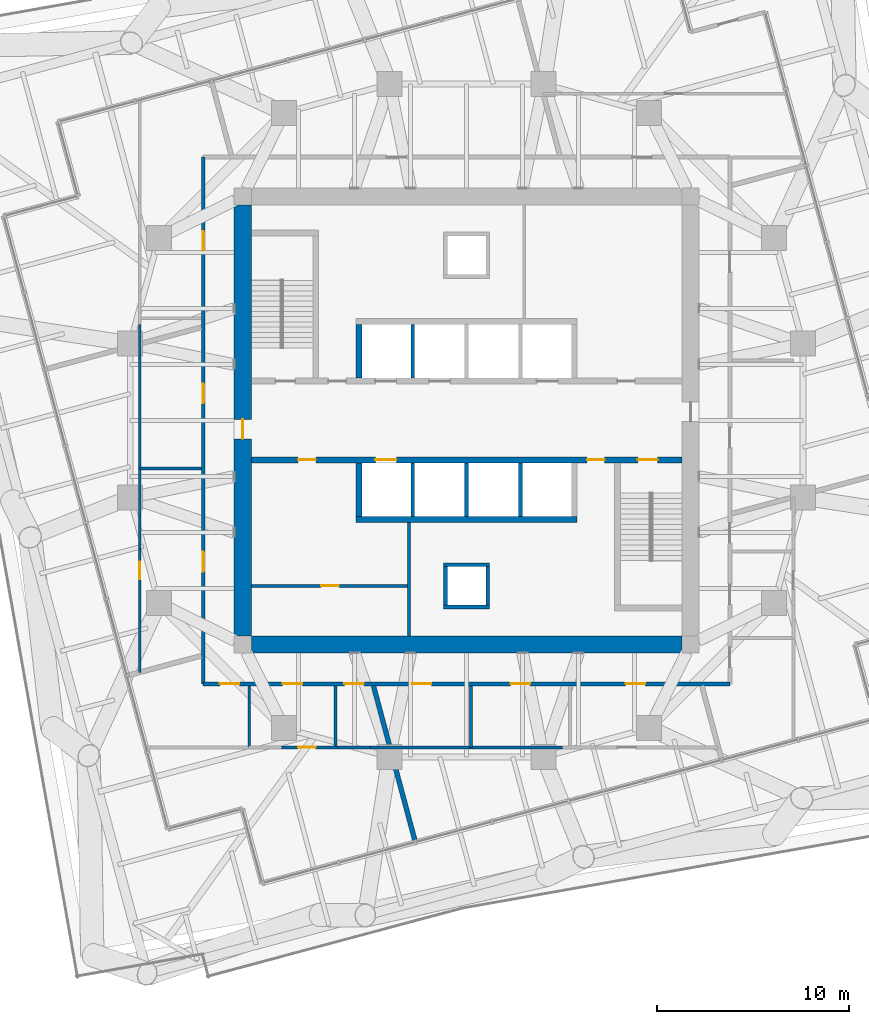
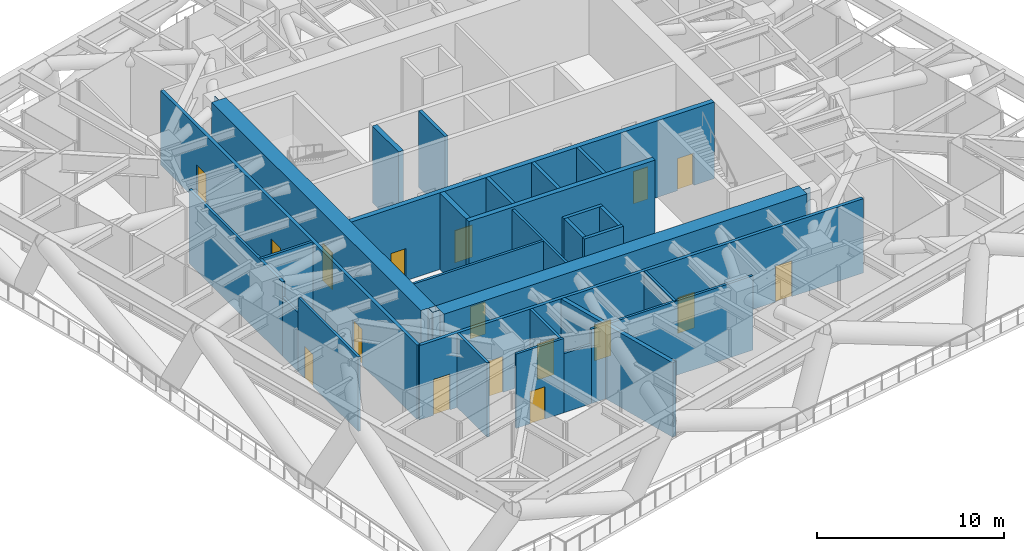
# One storey, part 9 of 14: 29 walls, 17 doors, 17 openings.
"""IFC4 building model written with IfcOpenShell, lengths in metres."""

from ifc_helpers import new_model, si_unit, direction, frame, frame_2d, origin, place, context, subcontext, project, spatial, polyline, rectangle, outline, extrude, material, layer, layer_set, type_object, element, fill, save


model = new_model("IFC4")

# Units and contexts
model_context = context("Model", 3, precision=1e-05, world=origin(), true_north=direction((0.0, 1.0)))
body_context = subcontext(model_context, "Body", "Model", "MODEL_VIEW")
ifc_project = project(units=[si_unit("LENGTHUNIT", "METRE"), si_unit("AREAUNIT", "SQUARE_METRE"), si_unit("VOLUMEUNIT", "CUBIC_METRE"), si_unit("PLANEANGLEUNIT", "RADIAN"), si_unit("MASSUNIT", "GRAM", prefix="KILO")], contexts=[model_context])

# Site, building, storey
site_placement = place(None, origin())
site = spatial("IfcSite", under=ifc_project, at=site_placement, CompositionType="ELEMENT")
building_placement = place(site_placement, origin())
building = spatial("IfcBuilding", under=site, at=building_placement, Name="Torsade Residences", CompositionType="ELEMENT")
storey_placement = place(building_placement, frame((0.0, 0.0, 106.60009765625)))
storey = spatial("IfcBuildingStorey", under=building, at=storey_placement, Name="L29", CompositionType="ELEMENT", Elevation=106.60009765625)

# Wall, openings, doors
ifc_material_1 = material(Name="Concrete 80 MPa", Category="concrete")
ifc_layer_1 = layer(ifc_material_1, 0.300048828125)
ifc_layer_set_1 = layer_set([ifc_layer_1], Name="Concrete 80 MPa")
wall_type_1 = type_object("IfcWallType", Name="CORE INTERNAL WALL 300", PredefinedType="SHEAR", material=ifc_layer_set_1)
wall_1_placement = place(storey_placement, frame((51.199951171875, 27.949951171875, 0.0), z_axis=(0.0, 0.0, 1.0), x_axis=(-1.0, 0.0, 0.0)))
wall_1 = element("IfcWall", 1, at=wall_1_placement, inside=storey, type_object=wall_type_1, Name="Core wall LS L29", PredefinedType="SHEAR", context=body_context, shape_type="SweptSolid", body=[
    extrude(rectangle(XDim=22.39990234375, YDim=0.300048828125, at=frame_2d((11.199951171875, 0.0))), origin(), (0.0, 0.0, 1.0), 5.0),
])
opening_1_placement = place(wall_1_placement, frame((19.0400390625, 0.0, 0.0)))
opening_1 = element("IfcOpeningElement", 2, at=opening_1_placement, cuts=wall_1, Name="Opening D06", PredefinedType="OPENING", context=body_context, shape_type="SweptSolid", body=[
    extrude(rectangle(XDim=0.919921875, YDim=2.10009765625, at=frame_2d((0.4599609375, 1.050048828125))), frame((0.0, 0.159912109375, 0.0), z_axis=(0.0, -1.0, 0.0), x_axis=(1.0, 0.0, 0.0)), (0.0, 0.0, 1.0), 0.320068359375),
])
opening_2_placement = place(wall_1_placement, frame((1.264892578125, 0.0, 0.0)))
opening_2 = element("IfcOpeningElement", 3, at=opening_2_placement, cuts=wall_1, Name="Opening D03", PredefinedType="OPENING", context=body_context, shape_type="SweptSolid", body=[
    extrude(rectangle(XDim=1.02001953125, YDim=2.10009765625, at=frame_2d((0.510009765625, 1.050048828125))), frame((0.0, 0.159912109375, 0.0), z_axis=(0.0, -1.0, 0.0), x_axis=(1.0, 0.0, 0.0)), (0.0, 0.0, 1.0), 0.320068359375),
])
opening_3_placement = place(wall_1_placement, frame((4.014892578125, 0.0, 0.0)))
opening_3 = element("IfcOpeningElement", 4, at=opening_3_placement, cuts=wall_1, Name="Opening D06", PredefinedType="OPENING", context=body_context, shape_type="SweptSolid", body=[
    extrude(rectangle(XDim=0.919921875, YDim=2.10009765625, at=frame_2d((0.4599609375, 1.050048828125))), frame((0.0, 0.159912109375, 0.0), z_axis=(0.0, -1.0, 0.0), x_axis=(1.0, 0.0, 0.0)), (0.0, 0.0, 1.0), 0.320068359375),
])
opening_4_placement = place(wall_1_placement, frame((14.85009765625, 0.0, 0.0)))
opening_4 = element("IfcOpeningElement", 5, at=opening_4_placement, cuts=wall_1, Name="Opening LD", PredefinedType="OPENING", context=body_context, shape_type="SweptSolid", body=[
    extrude(rectangle(XDim=1.10009765625, YDim=2.10009765625, at=frame_2d((0.550048828125, 1.050048828125))), frame((0.0, 0.159912109375, 0.0), z_axis=(0.0, -1.0, 0.0), x_axis=(1.0, 0.0, 0.0)), (0.0, 0.0, 1.0), 0.320068359375),
])
ifc_material_2 = material(Name="Steel-framed fire door", Category="steel")
door_type_1 = type_object("IfcDoorType", Name="FIRE DOOR 1020", OperationType="NOTDEFINED", PredefinedType="DOOR", material=ifc_material_2)
door_1_placement = place(opening_2_placement, origin())
door_1 = element("IfcDoor", 6, at=door_1_placement, inside=storey, type_object=door_type_1, Name="Exit door to fire-isolated stair ST2 L29", OperationType="SINGLE_SWING_RIGHT", OverallHeight=2.10009765625, OverallWidth=1.02001953125, PredefinedType="DOOR", context=body_context, shape_type="SweptSolid", body=[
    extrude(rectangle(XDim=1.02001953125, YDim=2.10009765625, at=frame_2d((0.510009765625, 1.050048828125))), frame((0.0, 0.02490234375, 0.0), z_axis=(0.0, -1.0, 0.0), x_axis=(1.0, 0.0, 0.0)), (0.0, 0.0, 1.0), 0.050048828125),
])
fill(opening_2, door_1)
ifc_material_3 = material(Name="Steel-framed fire door", Category="steel")
door_type_2 = type_object("IfcDoorType", Name="FIRE DOOR 920", OperationType="NOTDEFINED", PredefinedType="DOOR", material=ifc_material_3)
door_2_placement = place(opening_1_placement, origin())
door_2 = element("IfcDoor", 7, at=door_2_placement, inside=storey, type_object=door_type_2, Name="Door Lift lobby to Cleaner store", OperationType="SINGLE_SWING_LEFT", OverallHeight=2.10009765625, OverallWidth=0.919921875, PredefinedType="DOOR", context=body_context, shape_type="SweptSolid", body=[
    extrude(rectangle(XDim=0.919921875, YDim=2.10009765625, at=frame_2d((0.4599609375, 1.050048828125))), frame((0.0, 0.02490234375, 0.0), z_axis=(0.0, -1.0, 0.0), x_axis=(1.0, 0.0, 0.0)), (0.0, 0.0, 1.0), 0.050048828125),
])
fill(opening_1, door_2)
door_3_placement = place(opening_3_placement, origin())
door_3 = element("IfcDoor", 8, at=door_3_placement, inside=storey, type_object=door_type_2, Name="Door Lift lobby to Communications riser room", OperationType="SINGLE_SWING_RIGHT", OverallHeight=2.10009765625, OverallWidth=0.919921875, PredefinedType="DOOR", context=body_context, shape_type="SweptSolid", body=[
    extrude(rectangle(XDim=0.919921875, YDim=2.10009765625, at=frame_2d((0.4599609375, 1.050048828125))), frame((0.0, 0.02490234375, 0.0), z_axis=(0.0, -1.0, 0.0), x_axis=(1.0, 0.0, 0.0)), (0.0, 0.0, 1.0), 0.050048828125),
])
fill(opening_3, door_3)
ifc_material_4 = material(Name="Stainless steel lift landing door", Category="steel")
door_type_3 = type_object("IfcDoorType", Name="LIFT LANDING DOOR 1100", OperationType="SLIDING_TO_LEFT", PredefinedType="DOOR", material=ifc_material_4)
door_4_placement = place(opening_4_placement, origin())
door_4 = element("IfcDoor", 9, at=door_4_placement, inside=storey, type_object=door_type_3, Name="Lift FL2 landing door L29", OperationType="SLIDING_TO_LEFT", OverallHeight=2.10009765625, OverallWidth=1.10009765625, PredefinedType="DOOR", context=body_context, shape_type="SweptSolid", body=[
    extrude(rectangle(XDim=1.10009765625, YDim=2.10009765625, at=frame_2d((0.550048828125, 1.050048828125))), frame((0.0, 0.02490234375, 0.0), z_axis=(0.0, -1.0, 0.0), x_axis=(1.0, 0.0, 0.0)), (0.0, 0.0, 1.0), 0.050048828125),
])
fill(opening_4, door_4)

# Walls
wall_2_placement = place(storey_placement, frame((45.75, 24.85009765625, 0.0), z_axis=(0.0, 0.0, 1.0), x_axis=(-1.0, 0.0, 0.0)))
element("IfcWall", 10, at=wall_2_placement, inside=storey, type_object=wall_type_1, Name="Core wall BS L29", PredefinedType="SHEAR", context=body_context, shape_type="SweptSolid", body=[
    extrude(rectangle(XDim=11.5, YDim=0.300048828125, at=frame_2d((5.75, 0.0))), origin(), (0.0, 0.0, 1.0), 5.0),
])
for number, where, z_axis, x_axis, name in (
    (11, (34.39990234375, 32.199951171875, 0.0), (0.0, 0.0, 1.0), (0.0, 1.0, 0.0), "Core wall DN0 L29"),
    (12, (34.39990234375, 27.800048828125, 0.0), (0.0, 0.0, 1.0), (0.0, -1.0, 0.0), "Core wall DS4 L29"),
):
    element("IfcWall", number, at=place(storey_placement, frame(where, z_axis=z_axis, x_axis=x_axis)), inside=storey, type_object=wall_type_1, Name=name, PredefinedType="SHEAR", context=body_context, shape_type="SweptSolid", body=[
        extrude(rectangle(XDim=2.800048828125, YDim=0.300048828125, at=frame_2d((1.39990234375, 0.0))), origin(), (0.0, 0.0, 1.0), 5.0),
    ])
ifc_material_5 = material(Name="Concrete 80 MPa", Category="concrete")
ifc_layer_2 = layer(ifc_material_5, 0.89990234375)
ifc_layer_set_2 = layer_set([ifc_layer_2], Name="Concrete 80 MPa")
wall_type_2 = type_object("IfcWallType", Name="CORE WALL 900", PredefinedType="SHEAR", material=ifc_layer_set_2)
wall_3_placement = place(storey_placement, frame((51.199951171875, 18.35009765625, 0.0), z_axis=(0.0, 0.0, 1.0), x_axis=(-1.0, 0.0, 0.0)))
element("IfcWall", 13, at=wall_3_placement, inside=storey, type_object=wall_type_2, Name="Core wall S L29", PredefinedType="SHEAR", context=body_context, shape_type="SweptSolid", body=[
    extrude(outline(polyline([(0.0, -0.449951171875), (22.39990234375, -0.449951171875), (22.39990234375, -0.02490234375), (22.849853515625, -0.02490234375), (22.849853515625, 0.02490234375), (22.39990234375, 0.02490234375), (22.39990234375, 0.449951171875), (0.0, 0.449951171875), (0.0, 0.02490234375), (-0.449951171875, 0.02490234375), (-0.449951171875, -0.02490234375), (0.0, -0.02490234375), (0.0, -0.449951171875)])), origin(), (0.0, 0.0, 1.0), 5.0),
])

# Wall, opening, door
wall_4_placement = place(storey_placement, frame((28.35009765625, 41.199951171875, 0.0), z_axis=(0.0, 0.0, 1.0), x_axis=(0.0, -1.0, 0.0)))
wall_4 = element("IfcWall", 14, at=wall_4_placement, inside=storey, type_object=wall_type_2, Name="Core wall W L29", PredefinedType="SHEAR", context=body_context, shape_type="SweptSolid", body=[
    extrude(outline(polyline([(0.0, -0.449951171875), (22.39990234375, -0.449951171875), (22.39990234375, -0.02490234375), (22.849853515625, -0.02490234375), (22.849853515625, 0.02490234375), (22.39990234375, 0.02490234375), (22.39990234375, 0.449951171875), (0.0, 0.449951171875), (0.0, 0.02490234375), (-0.449951171875, 0.02490234375), (-0.449951171875, -0.02490234375), (0.0, -0.02490234375), (0.0, -0.449951171875)])), origin(), (0.0, 0.0, 1.0), 5.0),
])
opening_5_placement = place(wall_4_placement, frame((11.139892578125, 0.0, 0.0)))
opening_5 = element("IfcOpeningElement", 15, at=opening_5_placement, cuts=wall_4, Name="Opening D04", PredefinedType="OPENING", context=body_context, shape_type="SweptSolid", body=[
    extrude(rectangle(XDim=1.02001953125, YDim=2.39990234375, at=frame_2d((0.510009765625, 1.199951171875))), frame((0.0, 0.4599609375, 0.0), z_axis=(0.0, -1.0, 0.0), x_axis=(1.0, 0.0, 0.0)), (0.0, 0.0, 1.0), 0.919921875),
])
ifc_material_6 = material(Name="Steel-framed fire door", Category="steel")
door_type_4 = type_object("IfcDoorType", Name="LOBBY SMOKE DOOR 1020x2400", OperationType="NOTDEFINED", PredefinedType="DOOR", material=ifc_material_6)
door_5_placement = place(opening_5_placement, origin())
door_5 = element("IfcDoor", 16, at=door_5_placement, inside=storey, type_object=door_type_4, Name="Lift lobby door W L29", OperationType="SINGLE_SWING_RIGHT", OverallHeight=2.39990234375, OverallWidth=1.02001953125, PredefinedType="DOOR", context=body_context, shape_type="SweptSolid", body=[
    extrude(rectangle(XDim=1.02001953125, YDim=2.39990234375, at=frame_2d((0.510009765625, 1.199951171875))), frame((0.0, 0.02490234375, 0.0), z_axis=(0.0, -1.0, 0.0), x_axis=(1.0, 0.0, 0.0)), (0.0, 0.0, 1.0), 0.050048828125),
])
fill(opening_5, door_5)

# Wall, openings, doors
ifc_material_7 = material(Name="Plasterboard on steel stud", Category="steel")
ifc_layer_3 = layer(ifc_material_7, 0.199951171875)
ifc_layer_set_3 = layer_set([ifc_layer_3], Name="Plasterboard on steel stud")
wall_type_3 = type_object("IfcWallType", Name="CORRIDOR WALL 200", PredefinedType="PARTITIONING", material=ifc_layer_set_3)
wall_5_placement = place(storey_placement, frame((26.300048828125, 16.300048828125, 0.0), z_axis=(0.0, 0.0, 1.0), x_axis=(1.0, 0.0, 0.0)))
wall_5 = element("IfcWall", 17, at=wall_5_placement, inside=storey, type_object=wall_type_3, Name="Corridor wall L29", PredefinedType="PARTITIONING", context=body_context, shape_type="SweptSolid", body=[
    extrude(rectangle(XDim=27.39990234375, YDim=0.199951171875, at=frame_2d((13.699951171875, 0.0))), origin(), (0.0, 0.0, 1.0), 4.849853515625),
])
opening_6_placement = place(wall_5_placement, frame((21.972412109375, 0.0, 0.0)))
opening_6 = element("IfcOpeningElement", 18, at=opening_6_placement, cuts=wall_5, Name="Opening D01", PredefinedType="OPENING", context=body_context, shape_type="SweptSolid", body=[
    extrude(rectangle(XDim=1.02001953125, YDim=2.340087890625, at=frame_2d((0.510009765625, 1.169921875))), frame((0.0, 0.10986328125, 0.0), z_axis=(0.0, -1.0, 0.0), x_axis=(1.0, 0.0, 0.0)), (0.0, 0.0, 1.0), 0.219970703125),
])
opening_7_placement = place(wall_5_placement, frame((15.991455078125, 0.0, 0.0)))
opening_7 = element("IfcOpeningElement", 19, at=opening_7_placement, cuts=wall_5, Name="Opening D01", PredefinedType="OPENING", context=body_context, shape_type="SweptSolid", body=[
    extrude(rectangle(XDim=1.02001953125, YDim=2.340087890625, at=frame_2d((0.510009765625, 1.169921875))), frame((0.0, 0.10986328125, 0.0), z_axis=(0.0, -1.0, 0.0), x_axis=(1.0, 0.0, 0.0)), (0.0, 0.0, 1.0), 0.219970703125),
])
opening_8_placement = place(wall_5_placement, frame((10.85302734375, 0.0, 0.0)))
opening_8 = element("IfcOpeningElement", 20, at=opening_8_placement, cuts=wall_5, Name="Opening D01", PredefinedType="OPENING", context=body_context, shape_type="SweptSolid", body=[
    extrude(rectangle(XDim=1.02001953125, YDim=2.340087890625, at=frame_2d((0.510009765625, 1.169921875))), frame((0.0, 0.10986328125, 0.0), z_axis=(0.0, -1.0, 0.0), x_axis=(1.0, 0.0, 0.0)), (0.0, 0.0, 1.0), 0.219970703125),
])
opening_9_placement = place(wall_5_placement, frame((4.133056640625, 0.0, 0.0)))
opening_9 = element("IfcOpeningElement", 21, at=opening_9_placement, cuts=wall_5, Name="Opening D01", PredefinedType="OPENING", context=body_context, shape_type="SweptSolid", body=[
    extrude(rectangle(XDim=1.02001953125, YDim=2.340087890625, at=frame_2d((0.510009765625, 1.169921875))), frame((0.0, 0.10986328125, 0.0), z_axis=(0.0, -1.0, 0.0), x_axis=(1.0, 0.0, 0.0)), (0.0, 0.0, 1.0), 0.219970703125),
])
opening_10_placement = place(wall_5_placement, frame((0.8623046875, 0.0, 0.0)))
opening_10 = element("IfcOpeningElement", 22, at=opening_10_placement, cuts=wall_5, Name="Opening D01", PredefinedType="OPENING", context=body_context, shape_type="SweptSolid", body=[
    extrude(rectangle(XDim=1.02001953125, YDim=2.340087890625, at=frame_2d((0.510009765625, 1.169921875))), frame((0.0, 0.10986328125, 0.0), z_axis=(0.0, -1.0, 0.0), x_axis=(1.0, 0.0, 0.0)), (0.0, 0.0, 1.0), 0.219970703125),
])
opening_11_placement = place(wall_5_placement, frame((7.341552734375, 0.0, 0.0)))
opening_11 = element("IfcOpeningElement", 23, at=opening_11_placement, cuts=wall_5, Name="Opening D01", PredefinedType="OPENING", context=body_context, shape_type="SweptSolid", body=[
    extrude(rectangle(XDim=1.02001953125, YDim=2.340087890625, at=frame_2d((0.510009765625, 1.169921875))), frame((0.0, 0.10986328125, 0.0), z_axis=(0.0, -1.0, 0.0), x_axis=(1.0, 0.0, 0.0)), (0.0, 0.0, 1.0), 0.219970703125),
])
ifc_material_8 = material(Name="Solid-core timber fire door", Category="wood")
door_type_5 = type_object("IfcDoorType", Name="APARTMENT ENTRY DOOR 1020x2340", OperationType="NOTDEFINED", PredefinedType="DOOR", material=ifc_material_8)
door_6_placement = place(opening_6_placement, origin())
door_6 = element("IfcDoor", 24, at=door_6_placement, inside=storey, type_object=door_type_5, Name="Door Plant corridor to Service lobby", OperationType="SINGLE_SWING_RIGHT", OverallHeight=2.340087890625, OverallWidth=1.02001953125, PredefinedType="DOOR", context=body_context, shape_type="SweptSolid", body=[
    extrude(rectangle(XDim=1.02001953125, YDim=2.340087890625, at=frame_2d((0.510009765625, 1.169921875))), frame((0.0, 0.02490234375, 0.0), z_axis=(0.0, -1.0, 0.0), x_axis=(1.0, 0.0, 0.0)), (0.0, 0.0, 1.0), 0.050048828125),
])
fill(opening_6, door_6)
door_7_placement = place(opening_7_placement, origin())
door_7 = element("IfcDoor", 25, at=door_7_placement, inside=storey, type_object=door_type_5, Name="Door Plant corridor to Pump room", OperationType="SINGLE_SWING_LEFT", OverallHeight=2.340087890625, OverallWidth=1.02001953125, PredefinedType="DOOR", context=body_context, shape_type="SweptSolid", body=[
    extrude(rectangle(XDim=1.02001953125, YDim=2.340087890625, at=frame_2d((0.510009765625, 1.169921875))), frame((0.0, 0.02490234375, 0.0), z_axis=(0.0, -1.0, 0.0), x_axis=(1.0, 0.0, 0.0)), (0.0, 0.0, 1.0), 0.050048828125),
])
fill(opening_7, door_7)
door_8_placement = place(opening_8_placement, origin())
door_8 = element("IfcDoor", 26, at=door_8_placement, inside=storey, type_object=door_type_5, Name="Door Plant corridor to Plant cupboard", OperationType="SINGLE_SWING_RIGHT", OverallHeight=2.340087890625, OverallWidth=1.02001953125, PredefinedType="DOOR", context=body_context, shape_type="SweptSolid", body=[
    extrude(rectangle(XDim=1.02001953125, YDim=2.340087890625, at=frame_2d((0.510009765625, 1.169921875))), frame((0.0, 0.02490234375, 0.0), z_axis=(0.0, -1.0, 0.0), x_axis=(1.0, 0.0, 0.0)), (0.0, 0.0, 1.0), 0.050048828125),
])
fill(opening_8, door_8)
door_9_placement = place(opening_9_placement, origin())
door_9 = element("IfcDoor", 27, at=door_9_placement, inside=storey, type_object=door_type_5, Name="Door Plant corridor to Service lobby", OperationType="SINGLE_SWING_RIGHT", OverallHeight=2.340087890625, OverallWidth=1.02001953125, PredefinedType="DOOR", context=body_context, shape_type="SweptSolid", body=[
    extrude(rectangle(XDim=1.02001953125, YDim=2.340087890625, at=frame_2d((0.510009765625, 1.169921875))), frame((0.0, 0.02490234375, 0.0), z_axis=(0.0, -1.0, 0.0), x_axis=(1.0, 0.0, 0.0)), (0.0, 0.0, 1.0), 0.050048828125),
])
fill(opening_9, door_9)
door_10_placement = place(opening_10_placement, origin())
door_10 = element("IfcDoor", 28, at=door_10_placement, inside=storey, type_object=door_type_5, Name="Door Plant corridor to Pump room", OperationType="SINGLE_SWING_LEFT", OverallHeight=2.340087890625, OverallWidth=1.02001953125, PredefinedType="DOOR", context=body_context, shape_type="SweptSolid", body=[
    extrude(rectangle(XDim=1.02001953125, YDim=2.340087890625, at=frame_2d((0.510009765625, 1.169921875))), frame((0.0, 0.02490234375, 0.0), z_axis=(0.0, -1.0, 0.0), x_axis=(1.0, 0.0, 0.0)), (0.0, 0.0, 1.0), 0.050048828125),
])
fill(opening_10, door_10)
door_11_placement = place(opening_11_placement, origin())
door_11 = element("IfcDoor", 29, at=door_11_placement, inside=storey, type_object=door_type_5, Name="Door Plant corridor to Plant cupboard", OperationType="SINGLE_SWING_RIGHT", OverallHeight=2.340087890625, OverallWidth=1.02001953125, PredefinedType="DOOR", context=body_context, shape_type="SweptSolid", body=[
    extrude(rectangle(XDim=1.02001953125, YDim=2.340087890625, at=frame_2d((0.510009765625, 1.169921875))), frame((0.0, 0.02490234375, 0.0), z_axis=(0.0, -1.0, 0.0), x_axis=(1.0, 0.0, 0.0)), (0.0, 0.0, 1.0), 0.050048828125),
])
fill(opening_11, door_11)

wall_6_placement = place(storey_placement, frame((26.300048828125, 43.699951171875, 0.0), z_axis=(0.0, 0.0, 1.0), x_axis=(0.0, -1.0, 0.0)))
wall_6 = element("IfcWall", 30, at=wall_6_placement, inside=storey, type_object=wall_type_3, Name="Corridor wall L29", PredefinedType="PARTITIONING", context=body_context, shape_type="SweptSolid", body=[
    extrude(rectangle(XDim=27.39990234375, YDim=0.199951171875, at=frame_2d((13.699951171875, 0.0))), origin(), (0.0, 0.0, 1.0), 4.849853515625),
])
opening_12_placement = place(wall_6_placement, frame((20.53466796875, 0.0, 0.0)))
opening_12 = element("IfcOpeningElement", 31, at=opening_12_placement, cuts=wall_6, Name="Opening D01", PredefinedType="OPENING", context=body_context, shape_type="SweptSolid", body=[
    extrude(rectangle(XDim=1.02001953125, YDim=2.340087890625, at=frame_2d((0.510009765625, 1.169921875))), frame((0.0, 0.10986328125, 0.0), z_axis=(0.0, -1.0, 0.0), x_axis=(1.0, 0.0, 0.0)), (0.0, 0.0, 1.0), 0.219970703125),
])
opening_13_placement = place(wall_6_placement, frame((3.8564453125, 0.0, 0.0)))
opening_13 = element("IfcOpeningElement", 32, at=opening_13_placement, cuts=wall_6, Name="Opening D01", PredefinedType="OPENING", context=body_context, shape_type="SweptSolid", body=[
    extrude(rectangle(XDim=1.02001953125, YDim=2.340087890625, at=frame_2d((0.510009765625, 1.169921875))), frame((0.0, 0.10986328125, 0.0), z_axis=(0.0, -1.0, 0.0), x_axis=(1.0, 0.0, 0.0)), (0.0, 0.0, 1.0), 0.219970703125),
])
opening_14_placement = place(wall_6_placement, frame((11.779052734375, 0.0, 0.0)))
opening_14 = element("IfcOpeningElement", 33, at=opening_14_placement, cuts=wall_6, Name="Opening D01", PredefinedType="OPENING", context=body_context, shape_type="SweptSolid", body=[
    extrude(rectangle(XDim=1.02001953125, YDim=2.340087890625, at=frame_2d((0.510009765625, 1.169921875))), frame((0.0, 0.10986328125, 0.0), z_axis=(0.0, -1.0, 0.0), x_axis=(1.0, 0.0, 0.0)), (0.0, 0.0, 1.0), 0.219970703125),
])
door_12_placement = place(opening_12_placement, origin())
door_12 = element("IfcDoor", 34, at=door_12_placement, inside=storey, type_object=door_type_5, Name="Door Plant corridor to Pump room", OperationType="SINGLE_SWING_LEFT", OverallHeight=2.340087890625, OverallWidth=1.02001953125, PredefinedType="DOOR", context=body_context, shape_type="SweptSolid", body=[
    extrude(rectangle(XDim=1.02001953125, YDim=2.340087890625, at=frame_2d((0.510009765625, 1.169921875))), frame((0.0, 0.02490234375, 0.0), z_axis=(0.0, -1.0, 0.0), x_axis=(1.0, 0.0, 0.0)), (0.0, 0.0, 1.0), 0.050048828125),
])
fill(opening_12, door_12)
door_13_placement = place(opening_13_placement, origin())
door_13 = element("IfcDoor", 35, at=door_13_placement, inside=storey, type_object=door_type_5, Name="Door Plant corridor to Service lobby", OperationType="SINGLE_SWING_LEFT", OverallHeight=2.340087890625, OverallWidth=1.02001953125, PredefinedType="DOOR", context=body_context, shape_type="SweptSolid", body=[
    extrude(rectangle(XDim=1.02001953125, YDim=2.340087890625, at=frame_2d((0.510009765625, 1.169921875))), frame((0.0, 0.02490234375, 0.0), z_axis=(0.0, -1.0, 0.0), x_axis=(1.0, 0.0, 0.0)), (0.0, 0.0, 1.0), 0.050048828125),
])
fill(opening_13, door_13)
door_14_placement = place(opening_14_placement, origin())
door_14 = element("IfcDoor", 36, at=door_14_placement, inside=storey, type_object=door_type_5, Name="Door Plant corridor to Plant cupboard", OperationType="SINGLE_SWING_LEFT", OverallHeight=2.340087890625, OverallWidth=1.02001953125, PredefinedType="DOOR", context=body_context, shape_type="SweptSolid", body=[
    extrude(rectangle(XDim=1.02001953125, YDim=2.340087890625, at=frame_2d((0.510009765625, 1.169921875))), frame((0.0, 0.02490234375, 0.0), z_axis=(0.0, -1.0, 0.0), x_axis=(1.0, 0.0, 0.0)), (0.0, 0.0, 1.0), 0.050048828125),
])
fill(opening_14, door_14)

# Walls
ifc_material_9 = material(Name="Reinforced blockwork", Category="masonry")
ifc_layer_4 = layer(ifc_material_9, 0.199951171875)
ifc_layer_set_4 = layer_set([ifc_layer_4], Name="Reinforced blockwork")
wall_type_4 = type_object("IfcWallType", Name="LIFT SHAFT DIVIDING WALL 200", PredefinedType="SOLIDWALL", material=ifc_layer_set_4)
for number, where, z_axis, x_axis, name in (
    (37, (37.199951171875, 32.199951171875, 0.0), (0.0, 0.0, 1.0), (0.0, 1.0, 0.0), "Core wall DN1 L29"),
    (38, (42.800048828125, 27.800048828125, 0.0), (0.0, 0.0, 1.0), (0.0, -1.0, 0.0), "Core wall DS1 L29"),
    (39, (40.0, 27.800048828125, 0.0), (0.0, 0.0, 1.0), (0.0, -1.0, 0.0), "Core wall DS2 L29"),
    (40, (37.199951171875, 27.800048828125, 0.0), (0.0, 0.0, 1.0), (0.0, -1.0, 0.0), "Core wall DS3 L29"),
):
    element("IfcWall", number, at=place(storey_placement, frame(where, z_axis=z_axis, x_axis=x_axis)), inside=storey, type_object=wall_type_4, Name=name, PredefinedType="SOLIDWALL", context=body_context, shape_type="SweptSolid", body=[
        extrude(rectangle(XDim=2.800048828125, YDim=0.199951171875, at=frame_2d((1.39990234375, 0.0))), origin(), (0.0, 0.0, 1.0), 5.0),
    ])
ifc_material_10 = material(Name="Masonry-lined stud party wall", Category="masonry")
ifc_layer_5 = layer(ifc_material_10, 0.25)
ifc_layer_set_5 = layer_set([ifc_layer_5], Name="Masonry-lined stud party wall")
wall_type_5 = type_object("IfcWallType", Name="PARTY WALL 250", PredefinedType="PARTITIONING", material=ifc_layer_set_5)
wall_7_placement = place(storey_placement, frame((37.3369140625, 8.063232421875, 0.0), z_axis=(0.0, 0.0, 1.0), x_axis=(-0.25881425273, 0.965927110389, 0.0)))
element("IfcWall", 41, at=wall_7_placement, inside=storey, type_object=wall_type_5, Name="Party wall L29", PredefinedType="PARTITIONING", context=body_context, shape_type="SweptSolid", body=[
    extrude(rectangle(XDim=8.430419921875, YDim=0.25, at=frame_2d((4.21533203125, 0.0))), origin(), (0.0, 0.0, 1.0), 4.849853515625),
])
ifc_material_11 = material(Name="Reinforced blockwork", Category="masonry")
ifc_layer_6 = layer(ifc_material_11, 0.199951171875)
ifc_layer_set_6 = layer_set([ifc_layer_6], Name="Reinforced blockwork")
wall_type_6 = type_object("IfcWallType", Name="RISER SHAFT WALL 200", PredefinedType="SOLIDWALL", material=ifc_layer_set_6)
for number, where, z_axis, x_axis, name in (
    (42, (38.89990234375, 22.39990234375, 0.0), (0.0, 0.0, 1.0), (0.0, -1.0, 0.0), "Core wall RS2a L29"),
    (43, (41.10009765625, 22.39990234375, 0.0), (0.0, 0.0, 1.0), (0.0, -1.0, 0.0), "Core wall RS2b L29"),
):
    element("IfcWall", number, at=place(storey_placement, frame(where, z_axis=z_axis, x_axis=x_axis)), inside=storey, type_object=wall_type_6, Name=name, PredefinedType="SOLIDWALL", context=body_context, shape_type="SweptSolid", body=[
        extrude(rectangle(XDim=2.0, YDim=0.199951171875, at=frame_2d((1.0, 0.0))), origin(), (0.0, 0.0, 1.0), 5.0),
    ])
for number, where, z_axis, x_axis, name in (
    (44, (38.800048828125, 22.5, 0.0), (0.0, 0.0, 1.0), (1.0, 0.0, 0.0), "Core wall RS2c L29"),
    (45, (38.800048828125, 20.300048828125, 0.0), (0.0, 0.0, 1.0), (1.0, 0.0, 0.0), "Core wall RS2d L29"),
):
    element("IfcWall", number, at=place(storey_placement, frame(where, z_axis=z_axis, x_axis=x_axis)), inside=storey, type_object=wall_type_6, Name=name, PredefinedType="SOLIDWALL", context=body_context, shape_type="SweptSolid", body=[
        extrude(rectangle(XDim=2.39990234375, YDim=0.199951171875, at=frame_2d((1.199951171875, 0.0))), origin(), (0.0, 0.0, 1.0), 5.0),
    ])
ifc_material_12 = material(Name="Reinforced blockwork", Category="masonry")
ifc_layer_7 = layer(ifc_material_12, 0.14990234375)
ifc_layer_set_7 = layer_set([ifc_layer_7], Name="Reinforced blockwork")
wall_type_7 = type_object("IfcWallType", Name="SERVICE ROOM WALL 150", PredefinedType="SOLIDWALL", material=ifc_layer_set_7)
wall_8_placement = place(storey_placement, frame((37.0, 18.800048828125, 0.0), z_axis=(0.0, 0.0, 1.0), x_axis=(0.0, 1.0, 0.0)))
element("IfcWall", 46, at=wall_8_placement, inside=storey, type_object=wall_type_7, Name="Service room wall L29", PredefinedType="SOLIDWALL", context=body_context, shape_type="SweptSolid", body=[
    extrude(rectangle(XDim=5.89990234375, YDim=0.14990234375, at=frame_2d((2.949951171875, 0.0))), origin(), (0.0, 0.0, 1.0), 4.849853515625),
])

# Wall, opening, door
wall_9_placement = place(storey_placement, frame((37.0, 21.39990234375, 0.0), z_axis=(0.0, 0.0, 1.0), x_axis=(-1.0, 0.0, 0.0)))
wall_9 = element("IfcWall", 47, at=wall_9_placement, inside=storey, type_object=wall_type_7, Name="Service room wall L29", PredefinedType="SOLIDWALL", context=body_context, shape_type="SweptSolid", body=[
    extrude(rectangle(XDim=8.199951171875, YDim=0.14990234375, at=frame_2d((4.10009765625, 0.0))), origin(), (0.0, 0.0, 1.0), 4.849853515625),
])
opening_15_placement = place(wall_9_placement, frame((3.639892578125, 0.0, 0.0)))
opening_15 = element("IfcOpeningElement", 48, at=opening_15_placement, cuts=wall_9, Name="Opening D06", PredefinedType="OPENING", context=body_context, shape_type="SweptSolid", body=[
    extrude(rectangle(XDim=0.919921875, YDim=2.10009765625, at=frame_2d((0.4599609375, 1.050048828125))), frame((0.0, 0.0849609375, 0.0), z_axis=(0.0, -1.0, 0.0), x_axis=(1.0, 0.0, 0.0)), (0.0, 0.0, 1.0), 0.169921875),
])
door_15_placement = place(opening_15_placement, origin())
door_15 = element("IfcDoor", 49, at=door_15_placement, inside=storey, type_object=door_type_2, Name="Door Cleaner store to Building store", OperationType="SINGLE_SWING_LEFT", OverallHeight=2.10009765625, OverallWidth=0.919921875, PredefinedType="DOOR", context=body_context, shape_type="SweptSolid", body=[
    extrude(rectangle(XDim=0.919921875, YDim=2.10009765625, at=frame_2d((0.4599609375, 1.050048828125))), frame((0.0, 0.02490234375, 0.0), z_axis=(0.0, -1.0, 0.0), x_axis=(1.0, 0.0, 0.0)), (0.0, 0.0, 1.0), 0.050048828125),
])
fill(opening_15, door_15)

# Walls
for number, where, z_axis, x_axis, name in (
    (50, (28.694580078125, 13.0, 0.0), (0.0, 0.0, 1.0), (0.0, 1.0, 0.0), "Service room wall L29"),
    (51, (33.19140625, 16.199951171875, 0.0), (0.0, 0.0, 1.0), (0.0, -1.0, 0.0), "Service room wall L29"),
):
    element("IfcWall", number, at=place(storey_placement, frame(where, z_axis=z_axis, x_axis=x_axis)), inside=storey, type_object=wall_type_7, Name=name, PredefinedType="SOLIDWALL", context=body_context, shape_type="SweptSolid", body=[
        extrude(rectangle(XDim=3.199951171875, YDim=0.14990234375, at=frame_2d((1.60009765625, 0.0))), origin(), (0.0, 0.0, 1.0), 4.849853515625),
    ])
wall_10_placement = place(storey_placement, frame((44.98828125, 13.0, 0.0), z_axis=(0.0, 0.0, 1.0), x_axis=(-1.0, 0.0, 0.0)))
element("IfcWall", 52, at=wall_10_placement, inside=storey, type_object=wall_type_7, Name="Service room wall L29", PredefinedType="SOLIDWALL", context=body_context, shape_type="SweptSolid", body=[
    extrude(rectangle(XDim=9.9765625, YDim=0.14990234375, at=frame_2d((4.98828125, 0.0))), origin(), (0.0, 0.0, 1.0), 4.849853515625),
])
wall_11_placement = place(storey_placement, frame((35.01171875, 13.0, 0.0), z_axis=(0.0, 0.0, 1.0), x_axis=(-1.0, 0.0, 0.0)))
element("IfcWall", 53, at=wall_11_placement, inside=storey, type_object=wall_type_7, Name="Service room wall L29", PredefinedType="SOLIDWALL", context=body_context, shape_type="SweptSolid", body=[
    extrude(rectangle(XDim=1.690185546875, YDim=0.14990234375, at=frame_2d((0.84521484375, 0.0))), origin(), (0.0, 0.0, 1.0), 3.849853515625),
])

# Wall, opening, door
wall_12_placement = place(storey_placement, frame((33.321533203125, 13.0, 0.0), z_axis=(0.0, 0.0, 1.0), x_axis=(-1.0, 0.0, 0.0)))
wall_12 = element("IfcWall", 54, at=wall_12_placement, inside=storey, type_object=wall_type_7, Name="Service room wall L29", PredefinedType="SOLIDWALL", context=body_context, shape_type="SweptSolid", body=[
    extrude(rectangle(XDim=2.94189453125, YDim=0.14990234375, at=frame_2d((1.470947265625, 0.0))), origin(), (0.0, 0.0, 1.0), 4.849853515625),
])
opening_16_placement = place(wall_12_placement, frame((1.168701171875, 0.0, 0.0)))
opening_16 = element("IfcOpeningElement", 55, at=opening_16_placement, cuts=wall_12, Name="Opening D06", PredefinedType="OPENING", context=body_context, shape_type="SweptSolid", body=[
    extrude(rectangle(XDim=0.919921875, YDim=2.10009765625, at=frame_2d((0.4599609375, 1.050048828125))), frame((0.0, 0.0849609375, 0.0), z_axis=(0.0, -1.0, 0.0), x_axis=(1.0, 0.0, 0.0)), (0.0, 0.0, 1.0), 0.169921875),
])
door_16_placement = place(opening_16_placement, origin())
door_16 = element("IfcDoor", 56, at=door_16_placement, inside=storey, type_object=door_type_2, Name="Door Service lobby to Hot water plant room", OperationType="SINGLE_SWING_RIGHT", OverallHeight=2.10009765625, OverallWidth=0.919921875, PredefinedType="DOOR", context=body_context, shape_type="SweptSolid", body=[
    extrude(rectangle(XDim=0.919921875, YDim=2.10009765625, at=frame_2d((0.4599609375, 1.050048828125))), frame((0.0, 0.02490234375, 0.0), z_axis=(0.0, -1.0, 0.0), x_axis=(1.0, 0.0, 0.0)), (0.0, 0.0, 1.0), 0.050048828125),
])
fill(opening_16, door_16)

# Wall
wall_13_placement = place(storey_placement, frame((40.23193359375, 13.0, 0.0), z_axis=(0.0, 0.0, 1.0), x_axis=(0.0, 1.0, 0.0)))
element("IfcWall", 57, at=wall_13_placement, inside=storey, type_object=wall_type_7, Name="Service room wall L29", PredefinedType="SOLIDWALL", context=body_context, shape_type="SweptSolid", body=[
    extrude(rectangle(XDim=3.199951171875, YDim=0.14990234375, at=frame_2d((1.60009765625, 0.0))), origin(), (0.0, 0.0, 1.0), 4.849853515625),
])

# Wall, opening, door
wall_14_placement = place(storey_placement, frame((23.0, 16.90380859375, 0.0), z_axis=(0.0, 0.0, 1.0), x_axis=(0.0, 1.0, 0.0)))
wall_14 = element("IfcWall", 58, at=wall_14_placement, inside=storey, type_object=wall_type_7, Name="Service room wall L29", PredefinedType="SOLIDWALL", context=body_context, shape_type="SweptSolid", body=[
    extrude(rectangle(XDim=6.417724609375, YDim=0.14990234375, at=frame_2d((3.208984375, 0.0))), origin(), (0.0, 0.0, 1.0), 4.849853515625),
])
opening_17_placement = place(wall_14_placement, frame((4.840576171875, 0.0, 0.0)))
opening_17 = element("IfcOpeningElement", 59, at=opening_17_placement, cuts=wall_14, Name="Opening D06", PredefinedType="OPENING", context=body_context, shape_type="SweptSolid", body=[
    extrude(rectangle(XDim=0.919921875, YDim=2.10009765625, at=frame_2d((0.4599609375, 1.050048828125))), frame((0.0, 0.0849609375, 0.0), z_axis=(0.0, -1.0, 0.0), x_axis=(1.0, 0.0, 0.0)), (0.0, 0.0, 1.0), 0.169921875),
])
door_17_placement = place(opening_17_placement, origin())
door_17 = element("IfcDoor", 60, at=door_17_placement, inside=storey, type_object=door_type_2, Name="Door Pump room to Electrical switch room", OperationType="SINGLE_SWING_RIGHT", OverallHeight=2.10009765625, OverallWidth=0.919921875, PredefinedType="DOOR", context=body_context, shape_type="SweptSolid", body=[
    extrude(rectangle(XDim=0.919921875, YDim=2.10009765625, at=frame_2d((0.4599609375, 1.050048828125))), frame((0.0, 0.02490234375, 0.0), z_axis=(0.0, -1.0, 0.0), x_axis=(1.0, 0.0, 0.0)), (0.0, 0.0, 1.0), 0.050048828125),
])
fill(opening_17, door_17)

# Walls
wall_15_placement = place(storey_placement, frame((23.0, 23.321533203125, 0.0), z_axis=(0.0, 0.0, 1.0), x_axis=(0.0, 1.0, 0.0)))
element("IfcWall", 61, at=wall_15_placement, inside=storey, type_object=wall_type_7, Name="Service room wall L29", PredefinedType="SOLIDWALL", context=body_context, shape_type="SweptSolid", body=[
    extrude(rectangle(XDim=1.690185546875, YDim=0.14990234375, at=frame_2d((0.84521484375, 0.0))), origin(), (0.0, 0.0, 1.0), 3.849853515625),
])
wall_16_placement = place(storey_placement, frame((23.0, 25.01171875, 0.0), z_axis=(0.0, 0.0, 1.0), x_axis=(0.0, 1.0, 0.0)))
element("IfcWall", 62, at=wall_16_placement, inside=storey, type_object=wall_type_7, Name="Service room wall L29", PredefinedType="SOLIDWALL", context=body_context, shape_type="SweptSolid", body=[
    extrude(rectangle(XDim=9.9765625, YDim=0.14990234375, at=frame_2d((4.98828125, 0.0))), origin(), (0.0, 0.0, 1.0), 4.849853515625),
])
wall_17_placement = place(storey_placement, frame((23.0, 27.5048828125, 0.0), z_axis=(0.0, 0.0, 1.0), x_axis=(1.0, 0.0, 0.0)))
element("IfcWall", 63, at=wall_17_placement, inside=storey, type_object=wall_type_7, Name="Service room wall L29", PredefinedType="SOLIDWALL", context=body_context, shape_type="SweptSolid", body=[
    extrude(rectangle(XDim=3.199951171875, YDim=0.14990234375, at=frame_2d((1.60009765625, 0.0))), origin(), (0.0, 0.0, 1.0), 4.849853515625),
])

save(model, "model.ifc")
